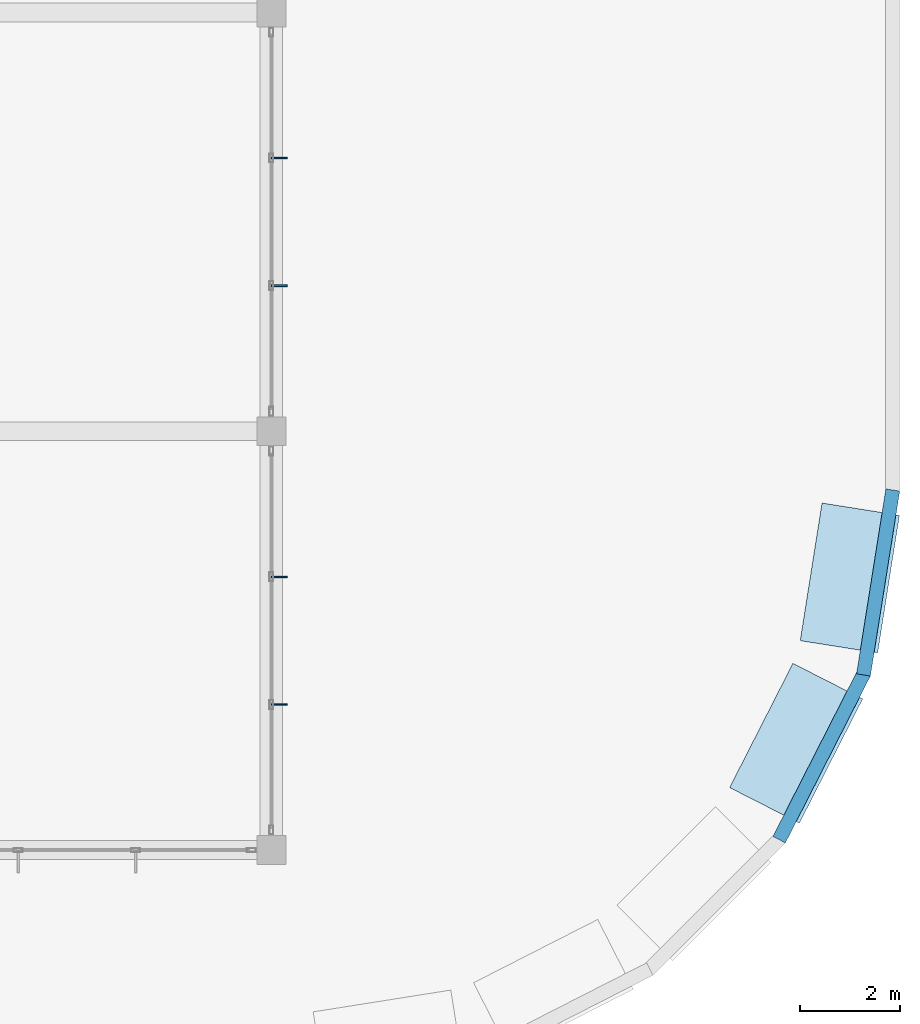
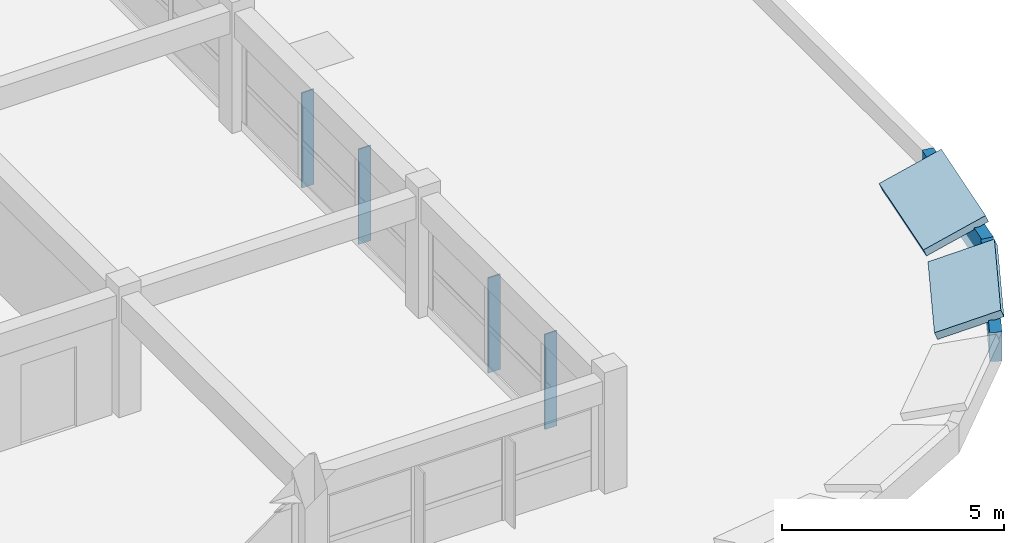
# One storey, part 82 of 101: 6 plates, 2 slabs.
"""IFC4 building model written with IfcOpenShell, lengths in metres."""

from ifc_helpers import new_model, si_unit, direction, frame, origin, place, context, subcontext, project, spatial, polyline, outline, extrude, material, layer, layer_set, type_object, element, save


model = new_model("IFC4")

# Units and contexts
model_context = context("Model", 3, precision=1e-05, world=origin(), true_north=direction((0.0, 1.0)))
body_context = subcontext(model_context, "Body", "Model", "MODEL_VIEW")
ifc_project = project(units=[si_unit("LENGTHUNIT", "METRE"), si_unit("AREAUNIT", "SQUARE_METRE"), si_unit("VOLUMEUNIT", "CUBIC_METRE"), si_unit("PLANEANGLEUNIT", "RADIAN"), si_unit("MASSUNIT", "GRAM", prefix="KILO")], contexts=[model_context])

# Site, building, storey
site_placement = place(None, origin())
site = spatial("IfcSite", under=ifc_project, at=site_placement, CompositionType="ELEMENT")
building_placement = place(site_placement, origin())
building = spatial("IfcBuilding", under=site, at=building_placement, Name="Zizhar Promenade General Hospital", CompositionType="ELEMENT")
storey_placement = place(building_placement, frame((0.0, 0.0, 14.39990234375)))
storey = spatial("IfcBuildingStorey", under=building, at=storey_placement, Name="L03", CompositionType="ELEMENT", Elevation=14.39990234375)

# Plates
ifc_material_1 = material(Name="Anodised aluminium 6063-T6", Category="aluminium")
ifc_layer_1 = layer(ifc_material_1, 0.033935546875)
ifc_layer_set_1 = layer_set([ifc_layer_1], Name="Anodised aluminium 6063-T6")
plate_type_1 = type_object("IfcPlateType", Name="FIN-ALU-320", PredefinedType="USERDEFINED", material=ifc_layer_set_1)
plate_1_placement = place(storey_placement, origin())
element("IfcPlate", 1, at=plate_1_placement, inside=storey, type_object=plate_type_1, Name="L03 Clinic Pavilion East Glazing 5 Solar Fin 1", ObjectType="SOLAR_SHADE", PredefinedType="USERDEFINED", context=body_context, shape_type="SweptSolid", body=[
    extrude(outline(polyline([(187.199951171875, 47.4970703125), (187.199951171875, 47.462890625), (187.52001953125, 47.462890625), (187.52001953125, 47.4970703125), (187.199951171875, 47.4970703125)])), origin(), (0.0, 0.0, 1.0), 2.6201171875),
])
plate_2_placement = place(storey_placement, origin())
element("IfcPlate", 2, at=plate_2_placement, inside=storey, type_object=plate_type_1, Name="L03 Clinic Pavilion East Glazing 5 Solar Fin 2", ObjectType="SOLAR_SHADE", PredefinedType="USERDEFINED", context=body_context, shape_type="SweptSolid", body=[
    extrude(outline(polyline([(187.199951171875, 44.93701171875), (187.199951171875, 44.903076171875), (187.52001953125, 44.903076171875), (187.52001953125, 44.93701171875), (187.199951171875, 44.93701171875)])), origin(), (0.0, 0.0, 1.0), 2.6201171875),
])
plate_3_placement = place(storey_placement, origin())
element("IfcPlate", 3, at=plate_3_placement, inside=storey, type_object=plate_type_1, Name="L03 Clinic Pavilion East Glazing 6 Solar Fin 1", ObjectType="SOLAR_SHADE", PredefinedType="USERDEFINED", context=body_context, shape_type="SweptSolid", body=[
    extrude(outline(polyline([(187.199951171875, 55.89697265625), (187.199951171875, 55.863037109375), (187.52001953125, 55.863037109375), (187.52001953125, 55.89697265625), (187.199951171875, 55.89697265625)])), origin(), (0.0, 0.0, 1.0), 2.6201171875),
])
plate_4_placement = place(storey_placement, origin())
element("IfcPlate", 4, at=plate_4_placement, inside=storey, type_object=plate_type_1, Name="L03 Clinic Pavilion East Glazing 6 Solar Fin 2", ObjectType="SOLAR_SHADE", PredefinedType="USERDEFINED", context=body_context, shape_type="SweptSolid", body=[
    extrude(outline(polyline([(187.199951171875, 53.3369140625), (187.199951171875, 53.302978515625), (187.52001953125, 53.302978515625), (187.52001953125, 53.3369140625), (187.199951171875, 53.3369140625)])), origin(), (0.0, 0.0, 1.0), 2.6201171875),
])
ifc_material_2 = material(Name="Precast concrete C40/50", Category="concrete")
ifc_layer_2 = layer(ifc_material_2, 0.260009765625)
ifc_layer_set_2 = layer_set([ifc_layer_2], Name="Precast concrete C40/50")
plate_type_2 = type_object("IfcPlateType", Name="PL-PC-BAND950", PredefinedType="USERDEFINED", material=ifc_layer_set_2)
plate_5_placement = place(storey_placement, frame((0.0, 0.0, -0.0498046875)))
element("IfcPlate", 5, at=plate_5_placement, inside=storey, type_object=plate_type_2, Name="Three-Arm Base Roof Upturned Edge Fascia 12", ObjectType="FASCIA_BAND", PredefinedType="USERDEFINED", context=body_context, shape_type="SweptSolid", body=[
    extrude(outline(polyline([(197.50830078125, 42.146484375), (199.212646484375, 45.49169921875), (198.963134765625, 45.618896484375), (197.2587890625, 42.273681640625), (197.50830078125, 42.146484375)])), origin(), (0.0, 0.0, 1.0), 0.7998046875),
])
plate_6_placement = place(storey_placement, frame((0.0, 0.0, -0.0498046875)))
element("IfcPlate", 6, at=plate_6_placement, inside=storey, type_object=plate_type_2, Name="Three-Arm Base Roof Upturned Edge Fascia 13", ObjectType="FASCIA_BAND", PredefinedType="USERDEFINED", context=body_context, shape_type="SweptSolid", body=[
    extrude(outline(polyline([(199.212646484375, 45.49169921875), (199.800048828125, 49.199951171875), (199.5234375, 49.243896484375), (198.93603515625, 45.53564453125), (199.212646484375, 45.49169921875)])), origin(), (0.0, 0.0, 1.0), 0.7998046875),
])

# Slabs
ifc_material_3 = material(Name="Concrete C35/45", Category="concrete")
ifc_layer_3 = layer(ifc_material_3, 0.199951171875)
ifc_layer_set_3 = layer_set([ifc_layer_3], Name="Concrete C35/45")
slab_type = type_object("IfcSlabType", Name="SLB-SAW-200", PredefinedType="ROOF", material=ifc_layer_set_3)
slab_1_placement = place(storey_placement, frame((197.72607421875, 42.573974609375, 1.02001953125), z_axis=(-0.316452478733, 0.161274570759, 0.934798556658), x_axis=(0.454081889756, 0.890959952721, 6.584973e-06)))
element("IfcSlab", 7, at=slab_1_placement, inside=storey, type_object=slab_type, Name="Three-Arm Base Curved Upturned Rim 12", PredefinedType="ROOF", context=body_context, shape_type="SweptSolid", body=[
    extrude(outline(polyline([(0.0, 0.0), (2.794731010925579, 0.0), (2.7948708341991577, 1.604384465293579), (-7.769624612865345e-05, 1.6042808331698046), (0.0, 0.0)])), origin(), (0.0, 0.0, -1.0), 0.199951171875),
])
slab_2_placement = place(storey_placement, frame((199.2880859375, 45.966064453125, 1.02001953125), z_axis=(-0.350615522505, 0.055515416655, 0.934872608376), x_axis=(0.156388773261, 0.987695576379, 0.0)))
element("IfcSlab", 8, at=slab_2_placement, inside=storey, type_object=slab_type, Name="Three-Arm Base Curved Upturned Rim 13", PredefinedType="ROOF", context=body_context, shape_type="SweptSolid", body=[
    extrude(outline(polyline([(0.0, 0.0), (2.7943931628656333, -5.551115123125783e-17), (2.794570629176073, 1.6052137570854175), (0.0001774663104395502, 1.6052137570854177), (0.0, 0.0)])), origin(), (0.0, 0.0, -1.0), 0.199951171875),
])

save(model, "model.ifc")
